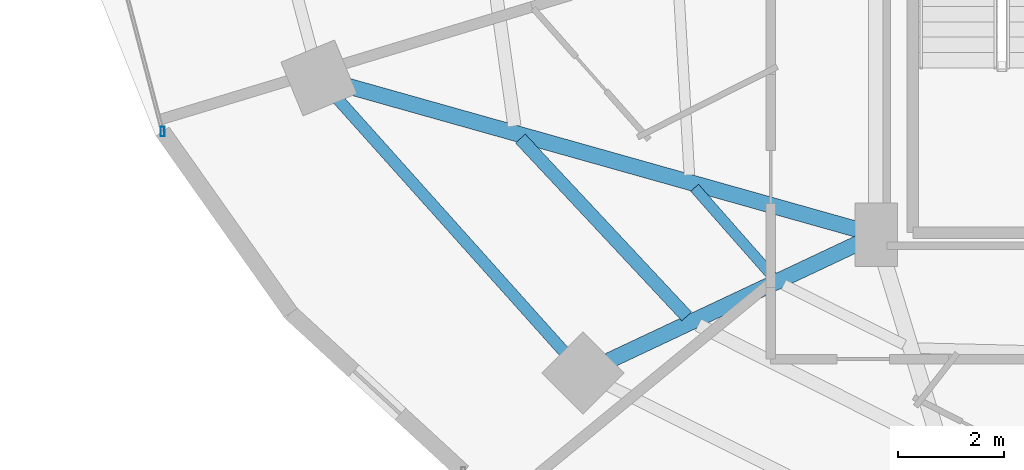
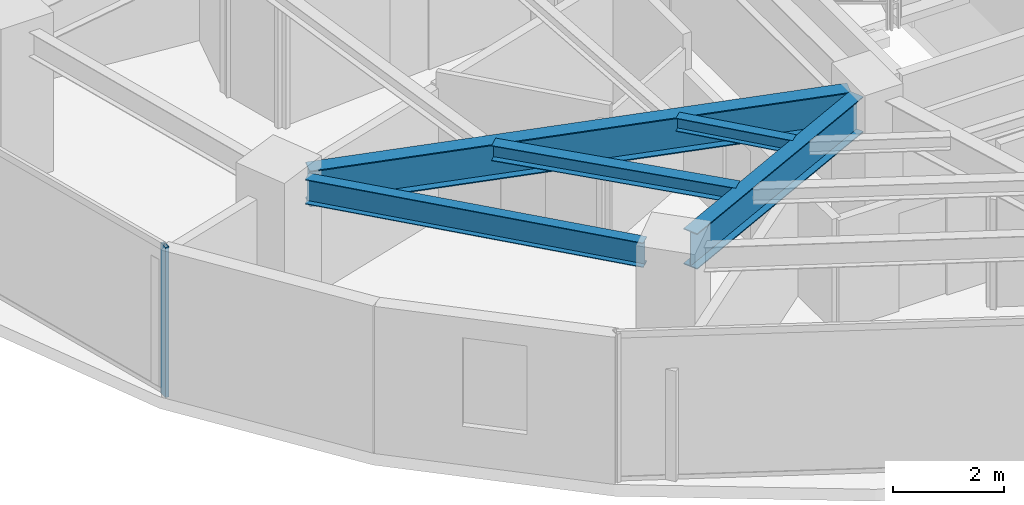
# One storey, part 3 of 29: 5 beams, 1 member, 1 element without a shape of its own.
"""IFC4 building model written with IfcOpenShell, lengths in metres."""

from ifc_helpers import new_model, si_unit, direction, frame, origin, origin_2d, place, context, subcontext, project, spatial, hollow_rectangle, i_section, extrude, material, material_profile, profile_set, type_object, element, aggregate, save


model = new_model("IFC4")

# Units and contexts
model_context = context("Model", 3, precision=1e-05, world=origin(), true_north=direction((0.0, 1.0)))
body_context = subcontext(model_context, "Body", "Model", "MODEL_VIEW")
ifc_project = project(units=[si_unit("LENGTHUNIT", "METRE"), si_unit("AREAUNIT", "SQUARE_METRE"), si_unit("VOLUMEUNIT", "CUBIC_METRE"), si_unit("PLANEANGLEUNIT", "RADIAN"), si_unit("MASSUNIT", "GRAM", prefix="KILO")], contexts=[model_context])

# Site, building, storey
site_placement = place(None, origin())
site = spatial("IfcSite", under=ifc_project, at=site_placement, CompositionType="ELEMENT")
building_placement = place(site_placement, origin())
building = spatial("IfcBuilding", under=site, at=building_placement, Name="Vorneva Point Tower", CompositionType="ELEMENT")
storey_placement = place(building_placement, frame((0.0, 0.0, 113.800048828125)))
storey = spatial("IfcBuildingStorey", under=building, at=storey_placement, Name="L30", CompositionType="ELEMENT", Elevation=113.800048828125)

# Beams
ifc_material_1 = material(Name="Steel S355", Category="steel")
ifc_material_profile_1 = material_profile(ifc_material_1, i_section(OverallWidth=0.300048828125, OverallDepth=0.7880859375, WebThickness=0.014404296875, FlangeThickness=0.02197265625, at=origin_2d()), Name="80Sh1")
ifc_profile_set_1 = profile_set([ifc_material_profile_1], Name="Steel S355")
beam_type_1 = type_object("IfcBeamType", Name="BM-GRD-80Sh1", PredefinedType="USERDEFINED", material=ifc_profile_set_1)
beam_1_placement = place(storey_placement, frame((17.222412109375, 19.272216796875, 2.845947265625), z_axis=(0.962598038366, -0.270933601708, 0.0), x_axis=(0.270933601708, 0.962598038366, 0.0)))
element("IfcBeam", 1, at=beam_1_placement, inside=storey, type_object=beam_type_1, Name="L30 Radial Primary Girder 10", ObjectType="GIRDER", PredefinedType="USERDEFINED", context=body_context, shape_type="SweptSolid", body=[
    extrude(i_section(OverallWidth=0.300048828125, OverallDepth=0.7880859375, WebThickness=0.014404296875, FlangeThickness=0.02197265625, at=origin_2d()), origin(), (0.0, 0.0, 1.0), 10.0771484375),
])
beam_2_placement = place(storey_placement, frame((22.18798828125, 14.06689453125, 2.845947265625), z_axis=(0.904751304927, 0.425940226126, 0.0), x_axis=(-0.425940226126, 0.904751304927, 0.0)))
element("IfcBeam", 2, at=beam_2_placement, inside=storey, type_object=beam_type_1, Name="L30 Radial Primary Girder 11", ObjectType="GIRDER", PredefinedType="USERDEFINED", context=body_context, shape_type="SweptSolid", body=[
    extrude(i_section(OverallWidth=0.300048828125, OverallDepth=0.7880859375, WebThickness=0.014404296875, FlangeThickness=0.02197265625, at=origin_2d()), origin(), (0.0, 0.0, 1.0), 5.2548828125),
])
ifc_material_profile_2 = material_profile(ifc_material_1, i_section(OverallWidth=0.199951171875, OverallDepth=0.291015625, WebThickness=0.008056640625, FlangeThickness=0.010986328125, at=origin_2d()), Name="30Sh1")
ifc_profile_set_2 = profile_set([ifc_material_profile_2], Name="Steel S355")
beam_type_2 = type_object("IfcBeamType", Name="BM-SEC-30Sh1", PredefinedType="BEAM", material=ifc_profile_set_2)
beam_3_placement = place(storey_placement, frame((23.812744140625, 17.33935546875, 3.094482421875), z_axis=(0.660778844384, -0.750580654437, 0.0), x_axis=(0.750580654437, 0.660778844384, 0.0)))
element("IfcBeam", 3, at=beam_3_placement, inside=storey, type_object=beam_type_2, Name="L30 Secondary Floor Beam 2.10", PredefinedType="BEAM", context=body_context, shape_type="SweptSolid", body=[
    extrude(i_section(OverallWidth=0.199951171875, OverallDepth=0.291015625, WebThickness=0.008056640625, FlangeThickness=0.010986328125, at=origin_2d()), origin(), (0.0, 0.0, 1.0), 2.223876953125),
])
ifc_material_profile_3 = material_profile(ifc_material_1, i_section(OverallWidth=0.2490234375, OverallDepth=0.333984375, WebThickness=0.008056640625, FlangeThickness=0.010986328125, at=origin_2d()), Name="35Sh1")
ifc_profile_set_3 = profile_set([ifc_material_profile_3], Name="Steel S355")
beam_type_3 = type_object("IfcBeamType", Name="BM-SEC-35Sh1", PredefinedType="BEAM", material=ifc_profile_set_3)
beam_4_placement = place(storey_placement, frame((20.517822265625, 18.2705078125, 3.072998046875), z_axis=(0.682901714838, -0.730510265411, 0.0), x_axis=(0.730510265411, 0.682901714838, 0.0)))
element("IfcBeam", 4, at=beam_4_placement, inside=storey, type_object=beam_type_3, Name="L30 Secondary Floor Beam 1.10", PredefinedType="BEAM", context=body_context, shape_type="SweptSolid", body=[
    extrude(i_section(OverallWidth=0.2490234375, OverallDepth=0.333984375, WebThickness=0.008056640625, FlangeThickness=0.010986328125, at=origin_2d()), origin(), (0.0, 0.0, 1.0), 4.60498046875),
])
ifc_material_profile_4 = material_profile(ifc_material_1, i_section(OverallWidth=0.219970703125, OverallDepth=0.54296875, WebThickness=0.009521484375, FlangeThickness=0.013427734375, at=origin_2d()), Name="55B1")
ifc_profile_set_4 = profile_set([ifc_material_profile_4], Name="Steel S355")
beam_type_4 = type_object("IfcBeamType", Name="BM-SPN-55B1", PredefinedType="SPANDREL", material=ifc_profile_set_4)
beam_5_placement = place(storey_placement, frame((17.0615234375, 19.019287109375, 2.968505859375), z_axis=(0.667073815664, -0.744991627105, 0.0), x_axis=(0.744991627105, 0.667073815664, 0.0)))
element("IfcBeam", 5, at=beam_5_placement, inside=storey, type_object=beam_type_4, Name="L30 Perimeter Spandrel Ring Beam 10", PredefinedType="SPANDREL", context=body_context, shape_type="SweptSolid", body=[
    extrude(i_section(OverallWidth=0.219970703125, OverallDepth=0.54296875, WebThickness=0.009521484375, FlangeThickness=0.013427734375, at=origin_2d()), origin(), (0.0, 0.0, 1.0), 6.420166015625),
])

# Curtain wall, member
ifc_material_2 = material(Name="Pale anodised aluminium", Category="aluminium")
curtain_wall_type = type_object("IfcCurtainWallType", Name="CW-HTL-SYS", PredefinedType="NOTDEFINED", material=ifc_material_2)
curtain_wall_placement = place(storey_placement, origin())
curtain_wall = element("IfcCurtainWall", 6, at=curtain_wall_placement, inside=storey, type_object=curtain_wall_type, Name="L30 Unitised Curtain Wall CW-L30-R03", PredefinedType="NOTDEFINED")
ifc_material_profile_5 = material_profile(ifc_material_2, hollow_rectangle(XDim=0.074951171875, YDim=0.179931640625, WallThickness=0.00390625, at=origin_2d()), Name="AL-MUL 180x75x4")
ifc_profile_set_5 = profile_set([ifc_material_profile_5], Name="Pale anodised aluminium")
member_type = type_object("IfcMemberType", Name="CW-MUL-180", PredefinedType="MULLION", material=ifc_profile_set_5)
member_placement = place(storey_placement, frame((13.748291015625, 18.40380859375, -0.0400390625), z_axis=(0.0, 0.0, 1.0), x_axis=(1.0, 0.0, 0.0)))
member = element("IfcMember", 7, at=member_placement, type_object=member_type, Name="CW-L30-R03 Mullion 02", PredefinedType="MULLION", context=body_context, shape_type="SweptSolid", body=[
    extrude(hollow_rectangle(XDim=0.074951171875, YDim=0.179931640625, WallThickness=0.00390625, at=origin_2d()), origin(), (0.0, 0.0, 1.0), 3.31005859375),
])
aggregate(curtain_wall, [member])

save(model, "model.ifc")
